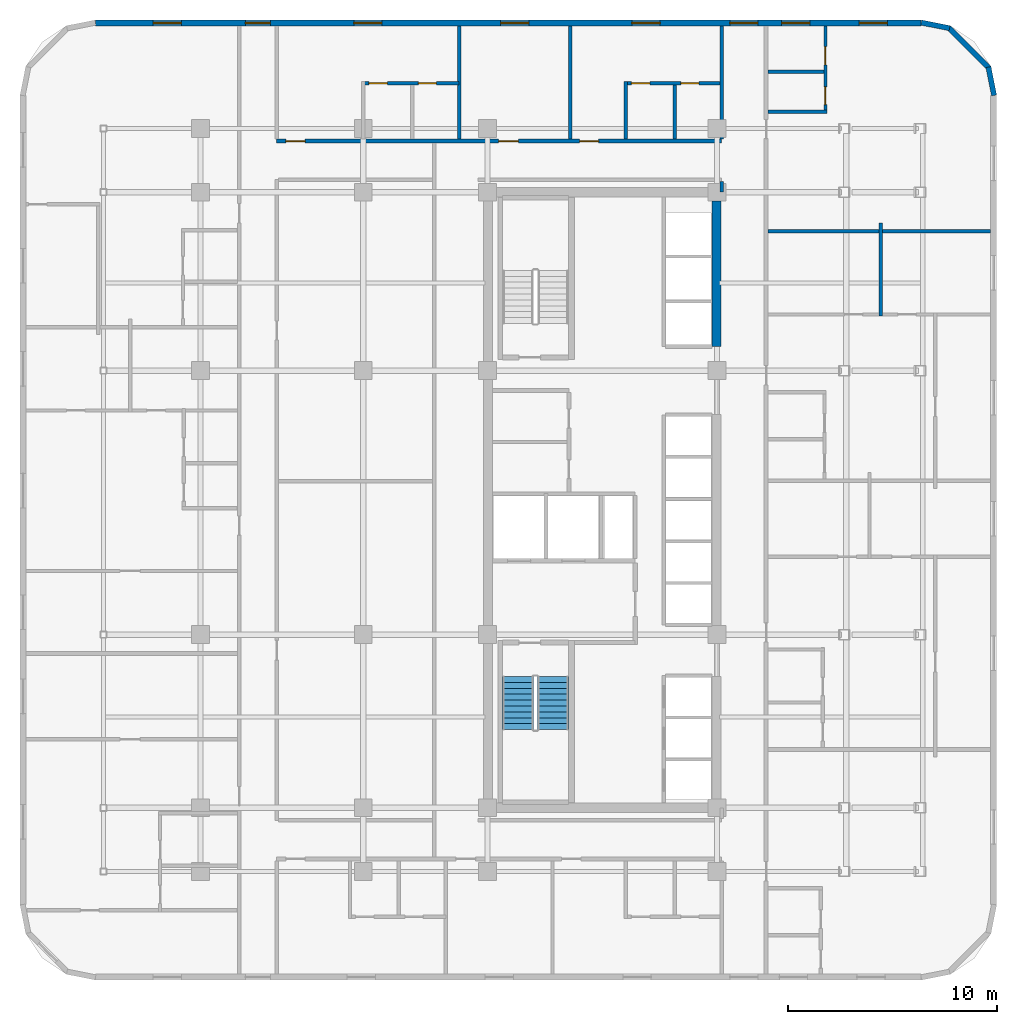
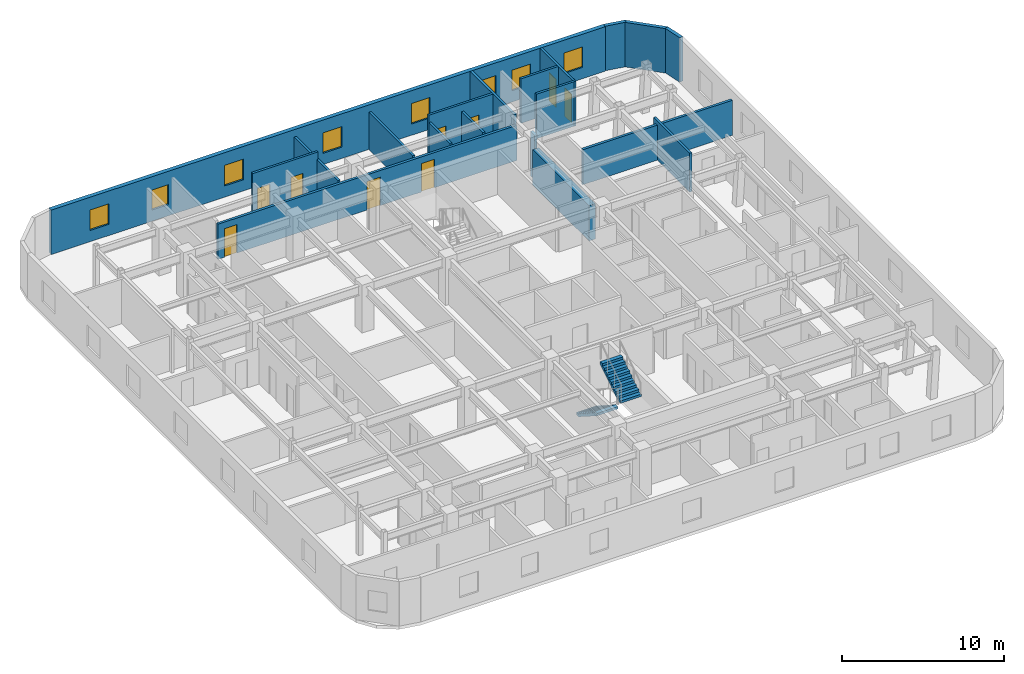
# One storey, part 10 of 12: 19 walls, 9 doors, 8 windows, 2 stair flights, 17 openings, 1 element without a shape of its own.
"""IFC4 building model written with IfcOpenShell, lengths in metres."""

from ifc_helpers import new_model, si_unit, direction, frame, frame_2d, origin, place, context, subcontext, project, spatial, polyline, rectangle, outline, extrude, material, layer, layer_set, type_object, element, fill, aggregate, save


model = new_model("IFC4")

# Units and contexts
model_context = context("Model", 3, precision=1e-05, world=origin(), true_north=direction((0.0, 1.0)))
body_context = subcontext(model_context, "Body", "Model", "MODEL_VIEW")
ifc_project = project(units=[si_unit("LENGTHUNIT", "METRE"), si_unit("AREAUNIT", "SQUARE_METRE"), si_unit("VOLUMEUNIT", "CUBIC_METRE"), si_unit("PLANEANGLEUNIT", "RADIAN"), si_unit("MASSUNIT", "GRAM", prefix="KILO")], contexts=[model_context])

# Site, building, storey
site_placement = place(None, origin())
site = spatial("IfcSite", under=ifc_project, at=site_placement, CompositionType="ELEMENT")
building_placement = place(site_placement, origin())
building = spatial("IfcBuilding", under=site, at=building_placement, Name="Ochreholt Gables", CompositionType="ELEMENT")
storey_placement = place(building_placement, frame((0.0, 0.0, 38.39990234375)))
storey = spatial("IfcBuildingStorey", under=building, at=storey_placement, Name="L09", CompositionType="ELEMENT", Elevation=38.39990234375)

# Wall
ifc_material_1 = material(Name="Concrete 60 MPa", Category="concrete")
ifc_layer_1 = layer(ifc_material_1, 0.449951171875, Name="Concrete 60 MPa")
ifc_layer_set_1 = layer_set([ifc_layer_1], Name="Concrete 60 MPa")
wall_type_1 = type_object("IfcWallType", Name="WALL-CSW-450", PredefinedType="SHEAR", material=ifc_layer_set_1)
wall_1_placement = place(storey_placement, frame((35.175048828125, 31.35009765625, 0.0), z_axis=(0.0, 0.0, 1.0), x_axis=(0.0, 1.0, 0.0)))
element("IfcWall", 1, at=wall_1_placement, inside=storey, type_object=wall_type_1, Name="L09 Core North-East Shear Wall", PredefinedType="SHEAR", context=body_context, shape_type="SweptSolid", body=[
    extrude(rectangle(XDim=6.974853515625, YDim=0.449951171875, at=frame_2d((3.4873046875, 0.0))), origin(), (0.0, 0.0, 1.0), 2.6669921875),
])

# Wall, openings, windows
ifc_material_2 = material(Name="Precast concrete 40 MPa", Category="concrete")
ifc_layer_2 = layer(ifc_material_2, 0.2900390625, Name="Precast concrete 40 MPa")
ifc_layer_set_2 = layer_set([ifc_layer_2], Name="Precast concrete 40 MPa")
wall_type_2 = type_object("IfcWallType", Name="WALL-EXT-290", PredefinedType="SOLIDWALL", material=ifc_layer_set_2)
wall_2_placement = place(storey_placement, frame((44.97998046875, 46.85498046875, 0.0), z_axis=(0.0, 0.0, 1.0), x_axis=(-1.0, 0.0, 0.0)))
wall_2 = element("IfcWall", 2, at=wall_2_placement, inside=storey, type_object=wall_type_2, Name="L09 North Exterior Wall", PredefinedType="SOLIDWALL", context=body_context, shape_type="SweptSolid", body=[
    extrude(rectangle(XDim=39.56005859375, YDim=0.2900390625, at=frame_2d((19.780029296875, 0.0))), origin(), (0.0, 0.0, 1.0), 3.360107421875),
])
opening_1_placement = place(wall_2_placement, frame((35.445068359375, 0.0, 0.85009765625)))
opening_1 = element("IfcOpeningElement", 3, at=opening_1_placement, cuts=wall_2, Name="Opening WN-8", PredefinedType="OPENING", context=body_context, shape_type="SweptSolid", body=[
    extrude(rectangle(XDim=1.35009765625, YDim=1.550048828125, at=frame_2d((0.675048828125, 0.77490234375))), frame((0.0, 0.155029296875, 0.0), z_axis=(0.0, -1.0, 0.0), x_axis=(1.0, 0.0, 0.0)), (0.0, 0.0, 1.0), 0.31005859375),
])
opening_2_placement = place(wall_2_placement, frame((31.179931640625, 0.0, 0.85009765625)))
opening_2 = element("IfcOpeningElement", 4, at=opening_2_placement, cuts=wall_2, Name="Opening WN-3", PredefinedType="OPENING", context=body_context, shape_type="SweptSolid", body=[
    extrude(rectangle(XDim=1.199951171875, YDim=1.5, at=frame_2d((0.60009765625, 0.75))), frame((0.0, 0.155029296875, 0.0), z_axis=(0.0, -1.0, 0.0), x_axis=(1.0, 0.0, 0.0)), (0.0, 0.0, 1.0), 0.31005859375),
])
opening_3_placement = place(wall_2_placement, frame((25.83447265625, 0.0, 0.85009765625)))
opening_3 = element("IfcOpeningElement", 5, at=opening_3_placement, cuts=wall_2, Name="Opening WN-8", PredefinedType="OPENING", context=body_context, shape_type="SweptSolid", body=[
    extrude(rectangle(XDim=1.35009765625, YDim=1.550048828125, at=frame_2d((0.675048828125, 0.77490234375))), frame((0.0, 0.155029296875, 0.0), z_axis=(0.0, -1.0, 0.0), x_axis=(1.0, 0.0, 0.0)), (0.0, 0.0, 1.0), 0.31005859375),
])
opening_4_placement = place(wall_2_placement, frame((18.798828125, 0.0, 0.85009765625)))
opening_4 = element("IfcOpeningElement", 6, at=opening_4_placement, cuts=wall_2, Name="Opening WN-8", PredefinedType="OPENING", context=body_context, shape_type="SweptSolid", body=[
    extrude(rectangle(XDim=1.35009765625, YDim=1.550048828125, at=frame_2d((0.675048828125, 0.77490234375))), frame((0.0, 0.155029296875, 0.0), z_axis=(0.0, -1.0, 0.0), x_axis=(1.0, 0.0, 0.0)), (0.0, 0.0, 1.0), 0.31005859375),
])
opening_5_placement = place(wall_2_placement, frame((12.509521484375, 0.0, 0.85009765625)))
opening_5 = element("IfcOpeningElement", 7, at=opening_5_placement, cuts=wall_2, Name="Opening WN-8", PredefinedType="OPENING", context=body_context, shape_type="SweptSolid", body=[
    extrude(rectangle(XDim=1.35009765625, YDim=1.550048828125, at=frame_2d((0.675048828125, 0.77490234375))), frame((0.0, 0.155029296875, 0.0), z_axis=(0.0, -1.0, 0.0), x_axis=(1.0, 0.0, 0.0)), (0.0, 0.0, 1.0), 0.31005859375),
])
opening_6_placement = place(wall_2_placement, frame((7.820068359375, 0.0, 0.85009765625)))
opening_6 = element("IfcOpeningElement", 8, at=opening_6_placement, cuts=wall_2, Name="Opening WN-8", PredefinedType="OPENING", context=body_context, shape_type="SweptSolid", body=[
    extrude(rectangle(XDim=1.35009765625, YDim=1.550048828125, at=frame_2d((0.675048828125, 0.77490234375))), frame((0.0, 0.155029296875, 0.0), z_axis=(0.0, -1.0, 0.0), x_axis=(1.0, 0.0, 0.0)), (0.0, 0.0, 1.0), 0.31005859375),
])
opening_7_placement = place(wall_2_placement, frame((5.3330078125, 0.0, 0.85009765625)))
opening_7 = element("IfcOpeningElement", 9, at=opening_7_placement, cuts=wall_2, Name="Opening WN-8", PredefinedType="OPENING", context=body_context, shape_type="SweptSolid", body=[
    extrude(rectangle(XDim=1.35009765625, YDim=1.550048828125, at=frame_2d((0.675048828125, 0.77490234375))), frame((0.0, 0.155029296875, 0.0), z_axis=(0.0, -1.0, 0.0), x_axis=(1.0, 0.0, 0.0)), (0.0, 0.0, 1.0), 0.31005859375),
])
opening_8_placement = place(wall_2_placement, frame((1.617919921875, 0.0, 0.85009765625)))
opening_8 = element("IfcOpeningElement", 10, at=opening_8_placement, cuts=wall_2, Name="Opening WN-8", PredefinedType="OPENING", context=body_context, shape_type="SweptSolid", body=[
    extrude(rectangle(XDim=1.35009765625, YDim=1.550048828125, at=frame_2d((0.675048828125, 0.77490234375))), frame((0.0, 0.155029296875, 0.0), z_axis=(0.0, -1.0, 0.0), x_axis=(1.0, 0.0, 0.0)), (0.0, 0.0, 1.0), 0.31005859375),
])
ifc_material_3 = material(Name="Triple-Glazed Thermally Broken Aluminium Window", Category="aluminium")
window_type_1 = type_object("IfcWindowType", Name="WIN-RES-1200", PartitioningType="SINGLE_PANEL", PredefinedType="WINDOW", material=ifc_material_3)
window_1_placement = place(opening_2_placement, origin())
window_1 = element("IfcWindow", 11, at=window_1_placement, inside=storey, type_object=window_type_1, Name="L09 Window W-EXT-N-L09-2", OverallHeight=1.5, OverallWidth=1.199951171875, PartitioningType="SINGLE_PANEL", PredefinedType="WINDOW", context=body_context, shape_type="SweptSolid", body=[
    extrude(rectangle(XDim=1.199951171875, YDim=1.5, at=frame_2d((0.60009765625, 0.75))), frame((0.0, 0.030029296875, 0.0), z_axis=(0.0, -1.0, 0.0), x_axis=(1.0, 0.0, 0.0)), (0.0, 0.0, 1.0), 0.06005859375),
])
fill(opening_2, window_1)
window_type_2 = type_object("IfcWindowType", Name="WIN-RES-1350", PartitioningType="SINGLE_PANEL", PredefinedType="WINDOW", material=ifc_material_3)
window_2_placement = place(opening_1_placement, origin())
window_2 = element("IfcWindow", 12, at=window_2_placement, inside=storey, type_object=window_type_2, Name="L09 Window W-EXT-N-L09-1", OverallHeight=1.550048828125, OverallWidth=1.35009765625, PartitioningType="SINGLE_PANEL", PredefinedType="WINDOW", context=body_context, shape_type="SweptSolid", body=[
    extrude(rectangle(XDim=1.35009765625, YDim=1.550048828125, at=frame_2d((0.675048828125, 0.77490234375))), frame((0.0, 0.030029296875, 0.0), z_axis=(0.0, -1.0, 0.0), x_axis=(1.0, 0.0, 0.0)), (0.0, 0.0, 1.0), 0.06005859375),
])
fill(opening_1, window_2)
window_3_placement = place(opening_3_placement, origin())
window_3 = element("IfcWindow", 13, at=window_3_placement, inside=storey, type_object=window_type_2, Name="L09 Window W-EXT-N-L09-3", OverallHeight=1.550048828125, OverallWidth=1.35009765625, PartitioningType="SINGLE_PANEL", PredefinedType="WINDOW", context=body_context, shape_type="SweptSolid", body=[
    extrude(rectangle(XDim=1.35009765625, YDim=1.550048828125, at=frame_2d((0.675048828125, 0.77490234375))), frame((0.0, 0.030029296875, 0.0), z_axis=(0.0, -1.0, 0.0), x_axis=(1.0, 0.0, 0.0)), (0.0, 0.0, 1.0), 0.06005859375),
])
fill(opening_3, window_3)
window_4_placement = place(opening_4_placement, origin())
window_4 = element("IfcWindow", 14, at=window_4_placement, inside=storey, type_object=window_type_2, Name="L09 Window W-EXT-N-L09-4", OverallHeight=1.550048828125, OverallWidth=1.35009765625, PartitioningType="SINGLE_PANEL", PredefinedType="WINDOW", context=body_context, shape_type="SweptSolid", body=[
    extrude(rectangle(XDim=1.35009765625, YDim=1.550048828125, at=frame_2d((0.675048828125, 0.77490234375))), frame((0.0, 0.030029296875, 0.0), z_axis=(0.0, -1.0, 0.0), x_axis=(1.0, 0.0, 0.0)), (0.0, 0.0, 1.0), 0.06005859375),
])
fill(opening_4, window_4)
window_5_placement = place(opening_5_placement, origin())
window_5 = element("IfcWindow", 15, at=window_5_placement, inside=storey, type_object=window_type_2, Name="L09 Window W-EXT-N-L09-5", OverallHeight=1.550048828125, OverallWidth=1.35009765625, PartitioningType="SINGLE_PANEL", PredefinedType="WINDOW", context=body_context, shape_type="SweptSolid", body=[
    extrude(rectangle(XDim=1.35009765625, YDim=1.550048828125, at=frame_2d((0.675048828125, 0.77490234375))), frame((0.0, 0.030029296875, 0.0), z_axis=(0.0, -1.0, 0.0), x_axis=(1.0, 0.0, 0.0)), (0.0, 0.0, 1.0), 0.06005859375),
])
fill(opening_5, window_5)
window_6_placement = place(opening_6_placement, origin())
window_6 = element("IfcWindow", 16, at=window_6_placement, inside=storey, type_object=window_type_2, Name="L09 Window W-EXT-N-L09-6", OverallHeight=1.550048828125, OverallWidth=1.35009765625, PartitioningType="SINGLE_PANEL", PredefinedType="WINDOW", context=body_context, shape_type="SweptSolid", body=[
    extrude(rectangle(XDim=1.35009765625, YDim=1.550048828125, at=frame_2d((0.675048828125, 0.77490234375))), frame((0.0, 0.030029296875, 0.0), z_axis=(0.0, -1.0, 0.0), x_axis=(1.0, 0.0, 0.0)), (0.0, 0.0, 1.0), 0.06005859375),
])
fill(opening_6, window_6)
window_7_placement = place(opening_7_placement, origin())
window_7 = element("IfcWindow", 17, at=window_7_placement, inside=storey, type_object=window_type_2, Name="L09 Window W-EXT-N-L09-7", OverallHeight=1.550048828125, OverallWidth=1.35009765625, PartitioningType="SINGLE_PANEL", PredefinedType="WINDOW", context=body_context, shape_type="SweptSolid", body=[
    extrude(rectangle(XDim=1.35009765625, YDim=1.550048828125, at=frame_2d((0.675048828125, 0.77490234375))), frame((0.0, 0.030029296875, 0.0), z_axis=(0.0, -1.0, 0.0), x_axis=(1.0, 0.0, 0.0)), (0.0, 0.0, 1.0), 0.06005859375),
])
fill(opening_7, window_7)
window_8_placement = place(opening_8_placement, origin())
window_8 = element("IfcWindow", 18, at=window_8_placement, inside=storey, type_object=window_type_2, Name="L09 Window W-EXT-N-L09-8", OverallHeight=1.550048828125, OverallWidth=1.35009765625, PartitioningType="SINGLE_PANEL", PredefinedType="WINDOW", context=body_context, shape_type="SweptSolid", body=[
    extrude(rectangle(XDim=1.35009765625, YDim=1.550048828125, at=frame_2d((0.675048828125, 0.77490234375))), frame((0.0, 0.030029296875, 0.0), z_axis=(0.0, -1.0, 0.0), x_axis=(1.0, 0.0, 0.0)), (0.0, 0.0, 1.0), 0.06005859375),
])
fill(opening_8, window_8)

# Walls
ifc_layer_3 = layer(ifc_material_2, 0.25, Name="Precast concrete 40 MPa")
ifc_layer_set_3 = layer_set([ifc_layer_3], Name="Precast concrete 40 MPa")
wall_type_3 = type_object("IfcWallType", Name="WALL-EXT-CNR", PredefinedType="SOLIDWALL", material=ifc_layer_set_3)
wall_3_placement = place(storey_placement, frame((48.475830078125, 43.383544921875, 0.0), z_axis=(0.0, 0.0, 1.0), x_axis=(-0.19496651342, 0.980809899341, 0.0)))
element("IfcWall", 19, at=wall_3_placement, inside=storey, type_object=wall_type_3, Name="L09 Rounded Corner Wall NE-1", PredefinedType="SOLIDWALL", context=body_context, shape_type="SweptSolid", body=[
    extrude(rectangle(XDim=1.388671875, YDim=0.25, at=frame_2d((0.6943359375, 0.0))), origin(), (0.0, 0.0, 1.0), 3.360107421875),
])
wall_4_placement = place(storey_placement, frame((48.23193359375, 44.695068359375, 0.0), z_axis=(0.0, 0.0, 1.0), x_axis=(-0.707106781187, 0.707106781187, 0.0)))
element("IfcWall", 20, at=wall_4_placement, inside=storey, type_object=wall_type_3, Name="L09 Rounded Corner Wall NE-2", PredefinedType="SOLIDWALL", context=body_context, shape_type="SweptSolid", body=[
    extrude(rectangle(XDim=2.7392578125, YDim=0.25, at=frame_2d((1.36962890625, 0.0))), origin(), (0.0, 0.0, 1.0), 3.360107421875),
])
wall_5_placement = place(storey_placement, frame((46.345458984375, 46.60498046875, 0.0), z_axis=(0.0, 0.0, 1.0), x_axis=(-0.980809899341, 0.19496651342, 0.0)))
element("IfcWall", 21, at=wall_5_placement, inside=storey, type_object=wall_type_3, Name="L09 Rounded Corner Wall NE-3", PredefinedType="SOLIDWALL", context=body_context, shape_type="SweptSolid", body=[
    extrude(rectangle(XDim=1.388671875, YDim=0.25, at=frame_2d((0.6943359375, 0.0))), origin(), (0.0, 0.0, 1.0), 3.360107421875),
])

# Wall, openings, doors
ifc_material_4 = material(Name="Fire-Rated Gypsum Acoustic Partition", Category="gypsum")
ifc_layer_4 = layer(ifc_material_4, 0.179931640625, Name="Fire-Rated Gypsum Acoustic Partition")
ifc_layer_set_4 = layer_set([ifc_layer_4], Name="Fire-Rated Gypsum Acoustic Partition")
wall_type_4 = type_object("IfcWallType", Name="WALL-INT-CR180", PredefinedType="STANDARD", material=ifc_layer_set_4)
wall_6_placement = place(storey_placement, frame((14.10009765625, 41.199951171875, 0.0), z_axis=(0.0, 0.0, 1.0), x_axis=(1.0, 0.0, 0.0)))
wall_6 = element("IfcWall", 22, at=wall_6_placement, inside=storey, type_object=wall_type_4, Name="L09 Interior Wall WI-C1N-L09", PredefinedType="STANDARD", context=body_context, shape_type="SweptSolid", body=[
    extrude(rectangle(XDim=21.31982421875, YDim=0.179931640625, at=frame_2d((10.659912109375, 0.0))), origin(), (0.0, 0.0, 1.0), 2.649169921875),
])
opening_9_placement = place(wall_6_placement, frame((0.43994140625, 0.0, 0.0)))
opening_9 = element("IfcOpeningElement", 23, at=opening_9_placement, cuts=wall_6, Name="Opening D-UN1", PredefinedType="OPENING", context=body_context, shape_type="SweptSolid", body=[
    extrude(rectangle(XDim=0.919921875, YDim=2.14990234375, at=frame_2d((0.4599609375, 1.074951171875))), frame((0.0, 0.099853515625, 0.0), z_axis=(0.0, -1.0, 0.0), x_axis=(1.0, 0.0, 0.0)), (0.0, 0.0, 1.0), 0.199951171875),
])
opening_10_placement = place(wall_6_placement, frame((10.631103515625, 0.0, 0.0)))
opening_10 = element("IfcOpeningElement", 24, at=opening_10_placement, cuts=wall_6, Name="Opening D-GN1", PredefinedType="OPENING", context=body_context, shape_type="SweptSolid", body=[
    extrude(rectangle(XDim=0.949951171875, YDim=2.14990234375, at=frame_2d((0.47509765625, 1.074951171875))), frame((0.0, 0.099853515625, 0.0), z_axis=(0.0, -1.0, 0.0), x_axis=(1.0, 0.0, 0.0)), (0.0, 0.0, 1.0), 0.199951171875),
])
opening_11_placement = place(wall_6_placement, frame((14.51123046875, 0.0, 0.0)))
opening_11 = element("IfcOpeningElement", 25, at=opening_11_placement, cuts=wall_6, Name="Opening D-UN1", PredefinedType="OPENING", context=body_context, shape_type="SweptSolid", body=[
    extrude(rectangle(XDim=0.919921875, YDim=2.14990234375, at=frame_2d((0.4599609375, 1.074951171875))), frame((0.0, 0.099853515625, 0.0), z_axis=(0.0, -1.0, 0.0), x_axis=(1.0, 0.0, 0.0)), (0.0, 0.0, 1.0), 0.199951171875),
])
ifc_material_5 = material(Name="Engineered Oak Timber", Category="wood")
door_type_1 = type_object("IfcDoorType", Name="DR-INT-GEN950", OperationType="NOTDEFINED", PredefinedType="DOOR", material=ifc_material_5)
door_1_placement = place(opening_10_placement, origin())
door_1 = element("IfcDoor", 26, at=door_1_placement, inside=storey, type_object=door_type_1, Name="L09 Door D-C1N3-L09", OperationType="SINGLE_SWING_RIGHT", OverallHeight=2.14990234375, OverallWidth=0.949951171875, PredefinedType="DOOR", context=body_context, shape_type="SweptSolid", body=[
    extrude(rectangle(XDim=0.949951171875, YDim=2.14990234375, at=frame_2d((0.47509765625, 1.074951171875))), frame((0.0, 0.02490234375, 0.0), z_axis=(0.0, -1.0, 0.0), x_axis=(1.0, 0.0, 0.0)), (0.0, 0.0, 1.0), 0.050048828125),
])
fill(opening_10, door_1)
door_type_2 = type_object("IfcDoorType", Name="DR-INT-UNT920", OperationType="NOTDEFINED", PredefinedType="DOOR", material=ifc_material_5)
door_2_placement = place(opening_9_placement, origin())
door_2 = element("IfcDoor", 27, at=door_2_placement, inside=storey, type_object=door_type_2, Name="L09 Door D-U-L09N1-ENT", OperationType="SINGLE_SWING_RIGHT", OverallHeight=2.14990234375, OverallWidth=0.919921875, PredefinedType="DOOR", context=body_context, shape_type="SweptSolid", body=[
    extrude(rectangle(XDim=0.919921875, YDim=2.14990234375, at=frame_2d((0.4599609375, 1.074951171875))), frame((0.0, 0.02490234375, 0.0), z_axis=(0.0, -1.0, 0.0), x_axis=(1.0, 0.0, 0.0)), (0.0, 0.0, 1.0), 0.050048828125),
])
fill(opening_9, door_2)
door_3_placement = place(opening_11_placement, origin())
door_3 = element("IfcDoor", 28, at=door_3_placement, inside=storey, type_object=door_type_2, Name="L09 Door D-U-L09N3-ENT", OperationType="SINGLE_SWING_RIGHT", OverallHeight=2.14990234375, OverallWidth=0.919921875, PredefinedType="DOOR", context=body_context, shape_type="SweptSolid", body=[
    extrude(rectangle(XDim=0.919921875, YDim=2.14990234375, at=frame_2d((0.4599609375, 1.074951171875))), frame((0.0, 0.02490234375, 0.0), z_axis=(0.0, -1.0, 0.0), x_axis=(1.0, 0.0, 0.0)), (0.0, 0.0, 1.0), 0.050048828125),
])
fill(opening_11, door_3)

# Walls
wall_7_placement = place(storey_placement, frame((35.419921875, 38.75, 0.0), z_axis=(0.0, 0.0, 1.0), x_axis=(0.0, 1.0, 0.0)))
element("IfcWall", 29, at=wall_7_placement, inside=storey, type_object=wall_type_4, Name="L09 Interior Wall WI-C1ENW2-L09", PredefinedType="STANDARD", context=body_context, shape_type="SweptSolid", body=[
    extrude(rectangle(XDim=0.510009765625, YDim=0.179931640625, at=frame_2d((0.2548828125, 0.0))), origin(), (0.0, 0.0, 1.0), 3.360107421875),
])
ifc_material_6 = material(Name="Double-Stud Acoustic Demising Wall", Category="gypsum")
ifc_layer_5 = layer(ifc_material_6, 0.179931640625, Name="Double-Stud Acoustic Demising Wall")
ifc_layer_set_5 = layer_set([ifc_layer_5], Name="Double-Stud Acoustic Demising Wall")
wall_type_5 = type_object("IfcWallType", Name="WALL-INT-DM180", PredefinedType="PARTITIONING", material=ifc_layer_set_5)
wall_8_placement = place(storey_placement, frame((35.419921875, 41.2900390625, 0.0), z_axis=(0.0, 0.0, 1.0), x_axis=(0.0, 1.0, 0.0)))
element("IfcWall", 30, at=wall_8_placement, inside=storey, type_object=wall_type_5, Name="L09 Interior Wall WI-C1ENW-L09", PredefinedType="PARTITIONING", context=body_context, shape_type="SweptSolid", body=[
    extrude(rectangle(XDim=5.419921875, YDim=0.179931640625, at=frame_2d((2.7099609375, 0.0))), origin(), (0.0, 0.0, 1.0), 3.360107421875),
])
wall_9_placement = place(storey_placement, frame((37.639892578125, 36.8798828125, 0.0), z_axis=(0.0, 0.0, 1.0), x_axis=(1.0, 0.0, 0.0)))
element("IfcWall", 31, at=wall_9_placement, inside=storey, type_object=wall_type_5, Name="L09 Interior Wall WI-UDE4-L09", PredefinedType="PARTITIONING", context=body_context, shape_type="SweptSolid", body=[
    extrude(rectangle(XDim=10.670166015625, YDim=0.179931640625, at=frame_2d((5.3349609375, 0.0))), origin(), (0.0, 0.0, 1.0), 2.649169921875),
])
ifc_material_7 = material(Name="Moisture-Resistant Plumbing Chase Wall", Category="gypsum")
ifc_layer_6 = layer(ifc_material_7, 0.159912109375, Name="Moisture-Resistant Plumbing Chase Wall")
ifc_layer_set_6 = layer_set([ifc_layer_6], Name="Moisture-Resistant Plumbing Chase Wall")
wall_type_6 = type_object("IfcWallType", Name="WALL-INT-PL160", PredefinedType="PLUMBINGWALL", material=ifc_layer_set_6)
wall_10_placement = place(storey_placement, frame((37.639892578125, 42.610107421875, 0.0), z_axis=(0.0, 0.0, 1.0), x_axis=(1.0, 0.0, 0.0)))
element("IfcWall", 32, at=wall_10_placement, inside=storey, type_object=wall_type_6, Name="L09 Interior Wall WU-L09E4-WYS", PredefinedType="PLUMBINGWALL", context=body_context, shape_type="SweptSolid", body=[
    extrude(rectangle(XDim=2.834228515625, YDim=0.159912109375, at=frame_2d((1.4169921875, 0.0))), origin(), (0.0, 0.0, 1.0), 3.360107421875),
])

# Wall, openings, doors
wall_11_placement = place(storey_placement, frame((40.39404296875, 42.52001953125, 0.0), z_axis=(0.0, 0.0, 1.0), x_axis=(0.0, 1.0, 0.0)))
wall_11 = element("IfcWall", 33, at=wall_11_placement, inside=storey, type_object=wall_type_6, Name="L09 Interior Wall WU-L09E4-WX", PredefinedType="PLUMBINGWALL", context=body_context, shape_type="SweptSolid", body=[
    extrude(rectangle(XDim=4.18994140625, YDim=0.159912109375, at=frame_2d((2.094970703125, 0.0))), origin(), (0.0, 0.0, 1.0), 3.360107421875),
])
opening_12_placement = place(wall_11_placement, frame((0.419921875, 0.0, 0.0)))
opening_12 = element("IfcOpeningElement", 34, at=opening_12_placement, cuts=wall_11, Name="Opening D-BT1", PredefinedType="OPENING", context=body_context, shape_type="SweptSolid", body=[
    extrude(rectangle(XDim=0.860107421875, YDim=2.1201171875, at=frame_2d((0.43017578125, 1.06005859375))), frame((0.0, 0.08984375, 0.0), z_axis=(0.0, -1.0, 0.0), x_axis=(1.0, 0.0, 0.0)), (0.0, 0.0, 1.0), 0.179931640625),
])
opening_13_placement = place(wall_11_placement, frame((2.3291015625, 0.0, 0.0)))
opening_13 = element("IfcOpeningElement", 35, at=opening_13_placement, cuts=wall_11, Name="Opening D-GN2", PredefinedType="OPENING", context=body_context, shape_type="SweptSolid", body=[
    extrude(rectangle(XDim=0.8798828125, YDim=2.1201171875, at=frame_2d((0.43994140625, 1.06005859375))), frame((0.0, 0.08984375, 0.0), z_axis=(0.0, -1.0, 0.0), x_axis=(1.0, 0.0, 0.0)), (0.0, 0.0, 1.0), 0.179931640625),
])
door_type_3 = type_object("IfcDoorType", Name="DR-INT-BTH860", OperationType="NOTDEFINED", PredefinedType="DOOR", material=ifc_material_5)
door_4_placement = place(opening_12_placement, origin())
door_4 = element("IfcDoor", 36, at=door_4_placement, inside=storey, type_object=door_type_3, Name="L09 Door D-U-L09E4-BTH", OperationType="SINGLE_SWING_RIGHT", OverallHeight=2.1201171875, OverallWidth=0.860107421875, PredefinedType="DOOR", context=body_context, shape_type="SweptSolid", body=[
    extrude(rectangle(XDim=0.860107421875, YDim=2.1201171875, at=frame_2d((0.43017578125, 1.06005859375))), frame((0.0, 0.02490234375, 0.0), z_axis=(0.0, -1.0, 0.0), x_axis=(1.0, 0.0, 0.0)), (0.0, 0.0, 1.0), 0.050048828125),
])
fill(opening_12, door_4)
door_type_4 = type_object("IfcDoorType", Name="DR-INT-GEN880", OperationType="NOTDEFINED", PredefinedType="DOOR", material=ifc_material_5)
door_5_placement = place(opening_13_placement, origin())
door_5 = element("IfcDoor", 37, at=door_5_placement, inside=storey, type_object=door_type_4, Name="L09 Door D-U-L09E4-KIT", OperationType="SINGLE_SWING_LEFT", OverallHeight=2.1201171875, OverallWidth=0.8798828125, PredefinedType="DOOR", context=body_context, shape_type="SweptSolid", body=[
    extrude(rectangle(XDim=0.8798828125, YDim=2.1201171875, at=frame_2d((0.43994140625, 1.06005859375))), frame((0.0, 0.02490234375, 0.0), z_axis=(0.0, -1.0, 0.0), x_axis=(1.0, 0.0, 0.0)), (0.0, 0.0, 1.0), 0.050048828125),
])
fill(opening_13, door_5)

# Wall
wall_12_placement = place(storey_placement, frame((37.639892578125, 44.51904296875, 0.0), z_axis=(0.0, 0.0, 1.0), x_axis=(1.0, 0.0, 0.0)))
element("IfcWall", 38, at=wall_12_placement, inside=storey, type_object=wall_type_6, Name="L09 Interior Wall WU-L09E4-WM", PredefinedType="PLUMBINGWALL", context=body_context, shape_type="SweptSolid", body=[
    extrude(rectangle(XDim=2.674072265625, YDim=0.159912109375, at=frame_2d((1.3369140625, 0.0))), origin(), (0.0, 0.0, 1.0), 3.360107421875),
])

# Wall, openings, doors
wall_13_placement = place(storey_placement, frame((18.171142578125, 43.969970703125, 0.0), z_axis=(0.0, 0.0, 1.0), x_axis=(1.0, 0.0, 0.0)))
wall_13 = element("IfcWall", 39, at=wall_13_placement, inside=storey, type_object=wall_type_6, Name="L09 Interior Wall WU-L09N1-WY", PredefinedType="PLUMBINGWALL", context=body_context, shape_type="SweptSolid", body=[
    extrude(rectangle(XDim=4.670166015625, YDim=0.159912109375, at=frame_2d((2.3349609375, 0.0))), origin(), (0.0, 0.0, 1.0), 3.360107421875),
])
opening_14_placement = place(wall_13_placement, frame((0.35009765625, 0.0, 0.0)))
opening_14 = element("IfcOpeningElement", 40, at=opening_14_placement, cuts=wall_13, Name="Opening D-GN2", PredefinedType="OPENING", context=body_context, shape_type="SweptSolid", body=[
    extrude(rectangle(XDim=0.8798828125, YDim=2.1201171875, at=frame_2d((0.43994140625, 1.06005859375))), frame((0.0, 0.08984375, 0.0), z_axis=(0.0, -1.0, 0.0), x_axis=(1.0, 0.0, 0.0)), (0.0, 0.0, 1.0), 0.179931640625),
])
opening_15_placement = place(wall_13_placement, frame((2.719970703125, 0.0, 0.0)))
opening_15 = element("IfcOpeningElement", 41, at=opening_15_placement, cuts=wall_13, Name="Opening D-BT1", PredefinedType="OPENING", context=body_context, shape_type="SweptSolid", body=[
    extrude(rectangle(XDim=0.860107421875, YDim=2.1201171875, at=frame_2d((0.43017578125, 1.06005859375))), frame((0.0, 0.08984375, 0.0), z_axis=(0.0, -1.0, 0.0), x_axis=(1.0, 0.0, 0.0)), (0.0, 0.0, 1.0), 0.179931640625),
])
door_6_placement = place(opening_15_placement, origin())
door_6 = element("IfcDoor", 42, at=door_6_placement, inside=storey, type_object=door_type_3, Name="L09 Door D-U-L09N1-BTH", OperationType="SINGLE_SWING_RIGHT", OverallHeight=2.1201171875, OverallWidth=0.860107421875, PredefinedType="DOOR", context=body_context, shape_type="SweptSolid", body=[
    extrude(rectangle(XDim=0.860107421875, YDim=2.1201171875, at=frame_2d((0.43017578125, 1.06005859375))), frame((0.0, 0.02490234375, 0.0), z_axis=(0.0, -1.0, 0.0), x_axis=(1.0, 0.0, 0.0)), (0.0, 0.0, 1.0), 0.050048828125),
])
fill(opening_15, door_6)
door_7_placement = place(opening_14_placement, origin())
door_7 = element("IfcDoor", 43, at=door_7_placement, inside=storey, type_object=door_type_4, Name="L09 Door D-U-L09N1-KIT", OperationType="SINGLE_SWING_LEFT", OverallHeight=2.1201171875, OverallWidth=0.8798828125, PredefinedType="DOOR", context=body_context, shape_type="SweptSolid", body=[
    extrude(rectangle(XDim=0.8798828125, YDim=2.1201171875, at=frame_2d((0.43994140625, 1.06005859375))), frame((0.0, 0.02490234375, 0.0), z_axis=(0.0, -1.0, 0.0), x_axis=(1.0, 0.0, 0.0)), (0.0, 0.0, 1.0), 0.050048828125),
])
fill(opening_14, door_7)

wall_14_placement = place(storey_placement, frame((30.75, 43.969970703125, 0.0), z_axis=(0.0, 0.0, 1.0), x_axis=(1.0, 0.0, 0.0)))
wall_14 = element("IfcWall", 44, at=wall_14_placement, inside=storey, type_object=wall_type_6, Name="L09 Interior Wall WU-L09N3-WY", PredefinedType="PLUMBINGWALL", context=body_context, shape_type="SweptSolid", body=[
    extrude(rectangle(XDim=4.580078125, YDim=0.159912109375, at=frame_2d((2.2900390625, 0.0))), origin(), (0.0, 0.0, 1.0), 3.360107421875),
])
opening_16_placement = place(wall_14_placement, frame((0.35009765625, 0.0, 0.0)))
opening_16 = element("IfcOpeningElement", 45, at=opening_16_placement, cuts=wall_14, Name="Opening D-GN2", PredefinedType="OPENING", context=body_context, shape_type="SweptSolid", body=[
    extrude(rectangle(XDim=0.8798828125, YDim=2.1201171875, at=frame_2d((0.43994140625, 1.06005859375))), frame((0.0, 0.08984375, 0.0), z_axis=(0.0, -1.0, 0.0), x_axis=(1.0, 0.0, 0.0)), (0.0, 0.0, 1.0), 0.179931640625),
])
opening_17_placement = place(wall_14_placement, frame((2.719970703125, 0.0, 0.0)))
opening_17 = element("IfcOpeningElement", 46, at=opening_17_placement, cuts=wall_14, Name="Opening D-BT1", PredefinedType="OPENING", context=body_context, shape_type="SweptSolid", body=[
    extrude(rectangle(XDim=0.860107421875, YDim=2.1201171875, at=frame_2d((0.43017578125, 1.06005859375))), frame((0.0, 0.08984375, 0.0), z_axis=(0.0, -1.0, 0.0), x_axis=(1.0, 0.0, 0.0)), (0.0, 0.0, 1.0), 0.179931640625),
])
door_8_placement = place(opening_17_placement, origin())
door_8 = element("IfcDoor", 47, at=door_8_placement, inside=storey, type_object=door_type_3, Name="L09 Door D-U-L09N3-BTH", OperationType="SINGLE_SWING_RIGHT", OverallHeight=2.1201171875, OverallWidth=0.860107421875, PredefinedType="DOOR", context=body_context, shape_type="SweptSolid", body=[
    extrude(rectangle(XDim=0.860107421875, YDim=2.1201171875, at=frame_2d((0.43017578125, 1.06005859375))), frame((0.0, 0.02490234375, 0.0), z_axis=(0.0, -1.0, 0.0), x_axis=(1.0, 0.0, 0.0)), (0.0, 0.0, 1.0), 0.050048828125),
])
fill(opening_17, door_8)
door_9_placement = place(opening_16_placement, origin())
door_9 = element("IfcDoor", 48, at=door_9_placement, inside=storey, type_object=door_type_4, Name="L09 Door D-U-L09N3-KIT", OperationType="SINGLE_SWING_LEFT", OverallHeight=2.1201171875, OverallWidth=0.8798828125, PredefinedType="DOOR", context=body_context, shape_type="SweptSolid", body=[
    extrude(rectangle(XDim=0.8798828125, YDim=2.1201171875, at=frame_2d((0.43994140625, 1.06005859375))), frame((0.0, 0.02490234375, 0.0), z_axis=(0.0, -1.0, 0.0), x_axis=(1.0, 0.0, 0.0)), (0.0, 0.0, 1.0), 0.050048828125),
])
fill(opening_16, door_9)

# Walls
wall_15_placement = place(storey_placement, frame((30.830078125, 41.2900390625, 0.0), z_axis=(0.0, 0.0, 1.0), x_axis=(0.0, 1.0, 0.0)))
element("IfcWall", 49, at=wall_15_placement, inside=storey, type_object=wall_type_6, Name="L09 Interior Wall WU-L09N3-FY", PredefinedType="PLUMBINGWALL", context=body_context, shape_type="SweptSolid", body=[
    extrude(rectangle(XDim=2.760009765625, YDim=0.159912109375, at=frame_2d((1.3798828125, 0.0))), origin(), (0.0, 0.0, 1.0), 2.80908203125),
])
wall_16_placement = place(storey_placement, frame((33.169921875, 41.2900390625, 0.0), z_axis=(0.0, 0.0, 1.0), x_axis=(0.0, 1.0, 0.0)))
element("IfcWall", 50, at=wall_16_placement, inside=storey, type_object=wall_type_6, Name="L09 Interior Wall WU-L09N3-WK", PredefinedType="PLUMBINGWALL", context=body_context, shape_type="SweptSolid", body=[
    extrude(rectangle(XDim=2.599853515625, YDim=0.159912109375, at=frame_2d((1.2998046875, 0.0))), origin(), (0.0, 0.0, 1.0), 2.80908203125),
])
ifc_material_8 = material(Name="Gypsum Acoustic Stud Partition", Category="gypsum")
ifc_layer_7 = layer(ifc_material_8, 0.159912109375, Name="Gypsum Acoustic Stud Partition")
ifc_layer_set_7 = layer_set([ifc_layer_7], Name="Gypsum Acoustic Stud Partition")
wall_type_7 = type_object("IfcWallType", Name="WALL-INT-PT160", PredefinedType="PARTITIONING", material=ifc_layer_set_7)
wall_17_placement = place(storey_placement, frame((43.044921875, 32.81005859375, 0.0), z_axis=(0.0, 0.0, 1.0), x_axis=(0.0, 1.0, 0.0)))
element("IfcWall", 51, at=wall_17_placement, inside=storey, type_object=wall_type_7, Name="L09 Interior Wall WU-L09E3-BSD", PredefinedType="PARTITIONING", context=body_context, shape_type="SweptSolid", body=[
    extrude(rectangle(XDim=4.4599609375, YDim=0.159912109375, at=frame_2d((2.22998046875, 0.0))), origin(), (0.0, 0.0, 1.0), 2.93212890625),
])
for number, where, z_axis, x_axis, name in (
    (52, (22.84130859375, 41.2900390625, 0.0), (0.0, 0.0, 1.0), (0.0, 1.0, 0.0), "L09 Interior Wall WI-UDN2-L09"),
    (53, (28.171142578125, 41.2900390625, 0.0), (0.0, 0.0, 1.0), (0.0, 1.0, 0.0), "L09 Interior Wall WI-UDN3-L09"),
):
    element("IfcWall", number, at=place(storey_placement, frame(where, z_axis=z_axis, x_axis=x_axis)), inside=storey, type_object=wall_type_7, Name=name, PredefinedType="PARTITIONING", context=body_context, shape_type="SweptSolid", body=[
        extrude(rectangle(XDim=5.419921875, YDim=0.159912109375, at=frame_2d((2.7099609375, 0.0))), origin(), (0.0, 0.0, 1.0), 2.80908203125),
    ])

# Stair, stair flights
ifc_material_9 = material(Name="Concrete 40 MPa", Category="concrete")
stair_type = type_object("IfcStairType", Name="STAIR-CORE-ST-1", PredefinedType="HALF_TURN_STAIR", material=ifc_material_9)
stair_placement = place(storey_placement, origin())
stair = element("IfcStair", 54, at=stair_placement, inside=storey, type_object=stair_type, Name="L09 Core Exit Stair 1", PredefinedType="HALF_TURN_STAIR")
stair_flight_type = type_object("IfcStairFlightType", Name="FLIGHT-ST-1480-1800", PredefinedType="STRAIGHT", material=ifc_material_9)
stair_flight_1_placement = place(storey_placement, frame((25.659912109375, 15.5400390625, 0.0), z_axis=(0.0, 0.0, 1.0), x_axis=(0.0, -1.0, 0.0)))
stair_flight_1 = element("IfcStairFlight", 55, at=stair_flight_1_placement, type_object=stair_flight_type, Name="ST-1 flight 1", NumberOfRisers=10, NumberOfTreads=9, PredefinedType="STRAIGHT", RiserHeight=0.18, TreadLength=0.282, context=body_context, shape_type="SweptSolid", body=[
    extrude(outline(polyline([(0.0, 0.0), (0.0, 0.179931640625), (0.281982421875, 0.179931640625), (0.281982421875, 0.360107421875), (0.56396484375, 0.360107421875), (0.56396484375, 0.5400390625), (0.845947265625, 0.5400390625), (0.845947265625, 0.719970703125), (1.1279296875, 0.719970703125), (1.1279296875, 0.89990234375), (1.409912109375, 0.89990234375), (1.409912109375, 1.080078125), (1.69189453125, 1.080078125), (1.69189453125, 1.260009765625), (1.97412109375, 1.260009765625), (1.97412109375, 1.43994140625), (2.256103515625, 1.43994140625), (2.256103515625, 1.6201171875), (2.5380859375, 1.6201171875), (2.5380859375, 1.800048828125), (2.5380859375, 1.442138671875), (0.278564453125, 0.0), (0.0, 0.0)])), frame((0.0, 0.739990234375, 0.0), z_axis=(0.0, -1.0, 0.0), x_axis=(1.0, 0.0, 0.0)), (0.0, 0.0, 1.0), 1.47998046875),
])
stair_flight_2_placement = place(storey_placement, frame((27.340087890625, 13.001953125, 1.800048828125), z_axis=(0.0, 0.0, 1.0), x_axis=(0.0, 1.0, 0.0)))
stair_flight_2 = element("IfcStairFlight", 56, at=stair_flight_2_placement, type_object=stair_flight_type, Name="ST-1 flight 2", NumberOfRisers=10, NumberOfTreads=9, PredefinedType="STRAIGHT", RiserHeight=0.18, TreadLength=0.282, context=body_context, shape_type="SweptSolid", body=[
    extrude(outline(polyline([(0.0, 0.0), (0.0, 0.179931640625), (0.281982421875, 0.179931640625), (0.281982421875, 0.360107421875), (0.56396484375, 0.360107421875), (0.56396484375, 0.5400390625), (0.845947265625, 0.5400390625), (0.845947265625, 0.719970703125), (1.1279296875, 0.719970703125), (1.1279296875, 0.89990234375), (1.409912109375, 0.89990234375), (1.409912109375, 1.080078125), (1.69189453125, 1.080078125), (1.69189453125, 1.260009765625), (1.97412109375, 1.260009765625), (1.97412109375, 1.43994140625), (2.256103515625, 1.43994140625), (2.256103515625, 1.6201171875), (2.5380859375, 1.6201171875), (2.5380859375, 1.800048828125), (2.5380859375, 1.442138671875), (0.278564453125, 0.0), (0.0, 0.0)])), frame((0.0, 0.739990234375, 0.0), z_axis=(0.0, -1.0, 0.0), x_axis=(1.0, 0.0, 0.0)), (0.0, 0.0, 1.0), 1.47998046875),
])
aggregate(stair, [stair_flight_1, stair_flight_2])

save(model, "model.ifc")
